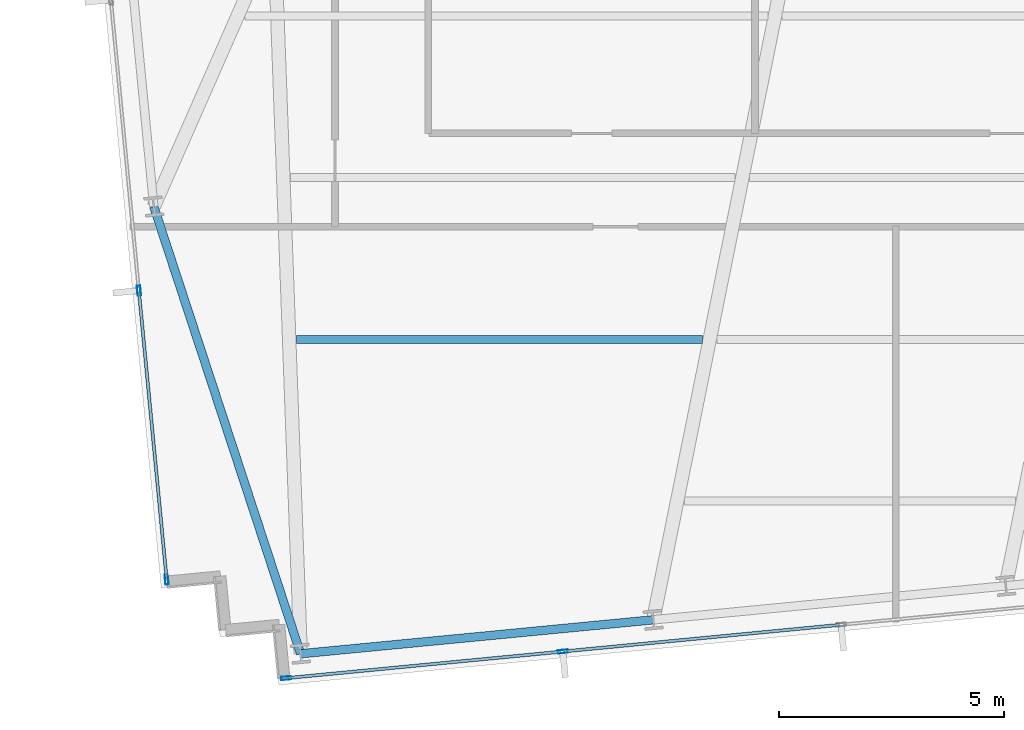
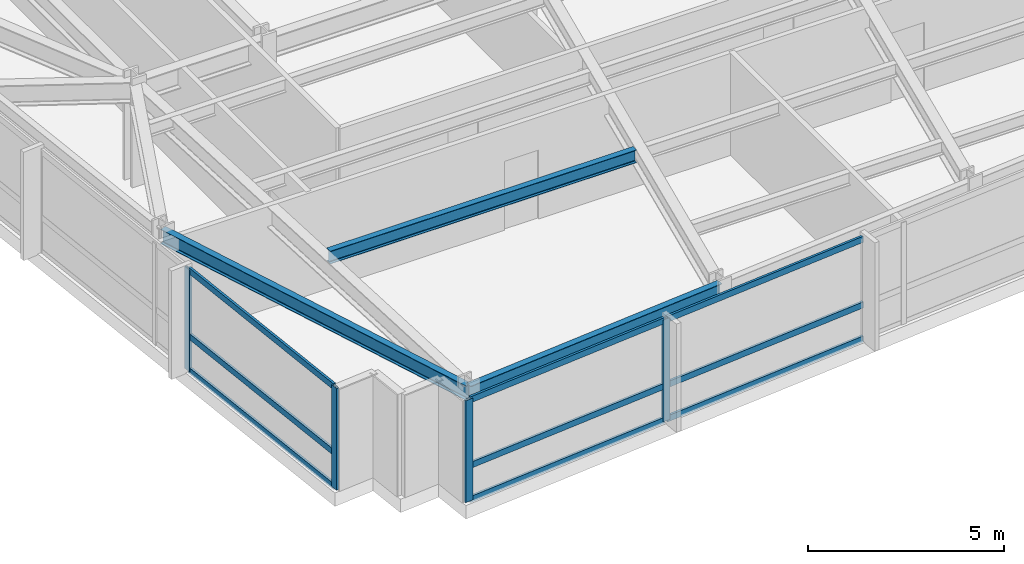
# One storey, part 2 of 33: 13 members, 3 beams, 2 elements without a shape of their own.
"""IFC4 building model written with IfcOpenShell, lengths in metres."""

import ifcopenshell
import ifcopenshell.guid

model = None  # the IFC model being written
_history = None  # IfcOwnerHistory: only IFC2X3 demands one
_inside = {}  # id of a spatial element -> (the spatial element, [elements in it])
_under = {}  # id of a project, library or spatial element -> (it, [spatial elements below it])
_declared = {}  # id of a project -> (the project, [libraries it declares])
_typed = {}  # id of a type object -> (the type object, [elements of that type])
_made_of = {}  # id of a material, layer set ... -> (it, [elements and type objects made of it])


def new_model(schema):
    """Start an empty IFC model of exactly this schema.

    Asked for "IFC4X3", IfcOpenShell would pick the latest addendum, in which some entities
    have other attributes; the version numbers below select the first issue.
    IFC2X3 requires an IfcOwnerHistory on every rooted entity: one is made here for all.
    """
    global model, _history
    if schema == "IFC4X3":
        model = ifcopenshell.file(schema_version=(4, 3, 0, 0))
    else:
        model = ifcopenshell.file(schema=schema)
    _inside.clear()
    _under.clear()
    _declared.clear()
    _typed.clear()
    _made_of.clear()
    _history = None
    if model.schema == "IFC2X3":
        org = make("IfcOrganization", Name="unknown")
        user = make(
            "IfcPersonAndOrganization",
            ThePerson=make("IfcPerson", FamilyName="unknown"),
            TheOrganization=org,
        )
        app = make(
            "IfcApplication",
            ApplicationDeveloper=org,
            Version="unknown",
            ApplicationFullName="unknown",
            ApplicationIdentifier="unknown",
        )
        _history = make(
            "IfcOwnerHistory",
            OwningUser=user,
            OwningApplication=app,
            ChangeAction="ADDED",
            CreationDate=0,
        )
    return model


def make(cls, **values):
    """One entity of the class cls with the attributes given. An attribute that is None is left unset."""
    return model.create_entity(
        cls, **{name: value for name, value in values.items() if value is not None}
    )


def rooted(cls, **values):
    """An entity with a GlobalId (a new one), such as an element, a storey or a relation."""
    return make(cls, GlobalId=ifcopenshell.guid.new(), OwnerHistory=_history, **values)


def si_unit(unit_type, name, prefix=None):
    """IfcSIUnit, for example si_unit("LENGTHUNIT", "METRE", prefix="MILLI")."""
    return make("IfcSIUnit", UnitType=unit_type, Prefix=prefix, Name=name)


def assignment(units):
    """IfcUnitAssignment: the units of a project."""
    return None if units is None else make("IfcUnitAssignment", Units=units)


def point(xyz):
    """IfcCartesianPoint."""
    return None if xyz is None else make("IfcCartesianPoint", Coordinates=xyz)


def direction(xyz):
    """IfcDirection."""
    return None if xyz is None else make("IfcDirection", DirectionRatios=xyz)


def frame(location, z_axis=None, x_axis=None):
    """IfcAxis2Placement3D, a coordinate frame: its origin and axes. An axis left out is left unset."""
    return make(
        "IfcAxis2Placement3D",
        Location=point(location),
        Axis=direction(z_axis),
        RefDirection=direction(x_axis),
    )


def frame_2d(location, x_axis=None):
    """IfcAxis2Placement2D, a coordinate frame in the plane: its origin and x axis."""
    return make(
        "IfcAxis2Placement2D", Location=point(location), RefDirection=direction(x_axis)
    )


def origin():
    """The frame at (0, 0, 0) with its axes left unset."""
    return frame((0.0, 0.0, 0.0))


def origin_2d():
    """The frame at (0, 0) in the plane with its x axis left unset."""
    return frame_2d((0.0, 0.0))


def place(relative_to, where):
    """IfcLocalPlacement: puts the frame where relative to a parent placement (None: the world)."""
    return make(
        "IfcLocalPlacement", PlacementRelTo=relative_to, RelativePlacement=where
    )


def context(
    kind, dimensions, precision=None, world=None, true_north=None, identifier=None
):
    """IfcGeometricRepresentationContext, for example the 3D "Model" context."""
    return make(
        "IfcGeometricRepresentationContext",
        ContextIdentifier=identifier,
        ContextType=kind,
        CoordinateSpaceDimension=dimensions,
        Precision=precision,
        WorldCoordinateSystem=world,
        TrueNorth=true_north,
    )


def subcontext(parent, identifier, kind, view, scale=None):
    """IfcGeometricRepresentationSubContext, for example "Body" below "Model"."""
    return make(
        "IfcGeometricRepresentationSubContext",
        ContextIdentifier=identifier,
        ContextType=kind,
        ParentContext=parent,
        TargetScale=scale,
        TargetView=view,
    )


def project(units=None, contexts=None):
    """IfcProject with its units and contexts."""
    return rooted(
        "IfcProject",
        Name="project",
        RepresentationContexts=contexts,
        UnitsInContext=assignment(units),
    )


def spatial(cls, under=None, at=None, **own):
    """A site, building, storey or space (cls), placed at a placement, below another one or the project."""
    s = rooted(cls, ObjectPlacement=at, **own)
    if under is not None:
        _under.setdefault(under.id(), (under, []))[1].append(s)
    return s


def profile(cls, at=None, kind="AREA", **sizes):
    """A parametric profile (cls). Its sizes go by their IFC names, for example OverallWidth=200.0."""
    return make(cls, ProfileType=kind, Position=at, **sizes)


def hollow_rectangle(**sizes):
    """IfcRectangleHollowProfileDef."""
    return profile("IfcRectangleHollowProfileDef", **sizes)


def i_section(**sizes):
    """IfcIShapeProfileDef."""
    return profile("IfcIShapeProfileDef", **sizes)


def extrude(swept, where, along, depth):
    """IfcExtrudedAreaSolid: the profile swept, set in the frame where, extruded along a direction by depth."""
    return make(
        "IfcExtrudedAreaSolid",
        SweptArea=swept,
        Position=where,
        ExtrudedDirection=direction(along),
        Depth=depth,
    )


def shape(context_of_items, identifier, shape_type, items):
    """IfcShapeRepresentation: the items that make up one representation, for example the "Body"."""
    return make(
        "IfcShapeRepresentation",
        ContextOfItems=context_of_items,
        RepresentationIdentifier=identifier,
        RepresentationType=shape_type,
        Items=items,
    )


def material(Name=None, Category=None):
    """IfcMaterial."""
    return make("IfcMaterial", Name=Name, Category=Category)


def material_profile(
    of_material, cross_section, Name=None, Category=None, Priority=None
):
    """IfcMaterialProfile: a cross section and its material."""
    return make(
        "IfcMaterialProfile",
        Name=Name,
        Material=of_material,
        Profile=cross_section,
        Priority=Priority,
        Category=Category,
    )


def profile_set(profiles, Name=None, composite=None):
    """IfcMaterialProfileSet."""
    return make(
        "IfcMaterialProfileSet",
        Name=Name,
        MaterialProfiles=profiles,
        CompositeProfile=composite,
    )


def made_of(thing, what):
    """Note that an element or type object is made of a material, layer set ...; save() writes the relation."""
    if what is not None:
        _made_of.setdefault(what.id(), (what, []))[1].append(thing)
    return thing


def type_object(cls, material=None, **own):
    """A type object (cls), such as IfcWallType, which elements share."""
    return made_of(rooted(cls, **own), material)


def element(
    cls,
    number,
    at=None,
    inside=None,
    cuts=None,
    type_object=None,
    material=None,
    context=None,
    identifier="Body",
    shape_type=None,
    held_by="IfcProductDefinitionShape",
    body=None,
    shapes=None,
    **own,
):
    """One element of the class cls, such as IfcWall. Its Tag is "e" and its number.

    at: its placement. inside: the storey or other place that contains it. cuts: it is an
    opening in that element (IfcRelVoidsElement). A single representation is given by context,
    identifier, shape_type and body (its items); several are given by shapes. held_by: the class
    of the entity that holds the representations. save() writes the other relations.
    """
    e = rooted(cls, Tag="e%d" % number, ObjectPlacement=at, **own)
    if body is not None:
        shapes = [shape(context, identifier, shape_type, body)]
    if shapes is not None:
        e.Representation = make(held_by, Representations=shapes)
    if inside is not None:
        _inside.setdefault(inside.id(), (inside, []))[1].append(e)
    if cuts is not None:
        rooted(
            "IfcRelVoidsElement", RelatingBuildingElement=cuts, RelatedOpeningElement=e
        )
    if type_object is not None:
        _typed.setdefault(type_object.id(), (type_object, []))[1].append(e)
    return made_of(e, material)


def aggregate(whole, parts):
    """IfcRelAggregates: a whole, such as a stair, and the parts it consists of."""
    return rooted("IfcRelAggregates", RelatingObject=whole, RelatedObjects=parts)


def save(model, path):
    """Write the relations noted so far, then the file.

    IfcRelAggregates (storeys below a building ...), IfcRelContainedInSpatialStructure (elements
    in a storey), IfcRelDefinesByType, IfcRelAssociatesMaterial and IfcRelDeclares: one each for
    every whole, place, type object, material and project.
    """
    for whole, parts in _under.values():
        aggregate(whole, parts)
    for where, things in _inside.values():
        rooted(
            "IfcRelContainedInSpatialStructure",
            RelatedElements=things,
            RelatingStructure=where,
        )
    for kind, things in _typed.values():
        rooted("IfcRelDefinesByType", RelatedObjects=things, RelatingType=kind)
    for what, things in _made_of.values():
        rooted("IfcRelAssociatesMaterial", RelatedObjects=things, RelatingMaterial=what)
    for by, libraries in _declared.values():
        rooted("IfcRelDeclares", RelatingContext=by, RelatedDefinitions=libraries)
    model.write(path)


model = new_model("IFC4")

# Units and contexts
model_context = context("Model", 3, precision=1e-05, world=origin(), true_north=direction((0.0, 1.0)))
body_context = subcontext(model_context, "Body", "Model", "MODEL_VIEW")
ifc_project = project(units=[si_unit("LENGTHUNIT", "METRE"), si_unit("AREAUNIT", "SQUARE_METRE"), si_unit("VOLUMEUNIT", "CUBIC_METRE"), si_unit("PLANEANGLEUNIT", "RADIAN"), si_unit("MASSUNIT", "GRAM", prefix="KILO")], contexts=[model_context])

# Site, building, storey
site_placement = place(None, origin())
site = spatial("IfcSite", under=ifc_project, at=site_placement, CompositionType="ELEMENT")
building_placement = place(site_placement, origin())
building = spatial("IfcBuilding", under=site, at=building_placement, Name="Yelkora Congress Tower", CompositionType="ELEMENT")
storey_placement = place(building_placement, frame((0.0, 0.0, 89.699951171875)))
storey = spatial("IfcBuildingStorey", under=building, at=storey_placement, Name="L23", CompositionType="ELEMENT", Elevation=89.699951171875)

# Beams
ifc_material_1 = material(Name="Steel S355J2", Category="steel")
ifc_material_profile_1 = material_profile(ifc_material_1, i_section(OverallWidth=0.179931640625, OverallDepth=0.39990234375, WebThickness=0.008544921875, FlangeThickness=0.013427734375, FilletRadius=0.02099609375, at=origin_2d()), Name="IPE 400")
ifc_profile_set_1 = profile_set([ifc_material_profile_1], Name="Steel S355J2")
beam_type_1 = type_object("IfcBeamType", Name="BM-JOIST-IPE400", PredefinedType="JOIST", material=ifc_profile_set_1)
beam_1_placement = place(storey_placement, frame((19.6904296875, 16.144287109375, 2.97998046875), z_axis=(1.0, 0.0, 0.0), x_axis=(0.0, 1.0, 0.0)))
element("IfcBeam", 1, at=beam_1_placement, inside=storey, type_object=beam_type_1, Name="L23 Composite Floor Joist 4", PredefinedType="JOIST", context=body_context, shape_type="SweptSolid", body=[
    extrude(i_section(OverallWidth=0.179931640625, OverallDepth=0.39990234375, WebThickness=0.008544921875, FlangeThickness=0.013427734375, FilletRadius=0.02099609375, at=origin_2d()), origin(), (0.0, 0.0, 1.0), 9.0439453125),
])
ifc_material_profile_2 = material_profile(ifc_material_1, i_section(OverallWidth=0.18994140625, OverallDepth=0.449951171875, WebThickness=0.009521484375, FlangeThickness=0.0146484375, FilletRadius=0.02099609375, at=origin_2d()), Name="IPE 450")
ifc_profile_set_2 = profile_set([ifc_material_profile_2], Name="Steel S355J2")
beam_type_2 = type_object("IfcBeamType", Name="BM-SPAN-IPE450", PredefinedType="SPANDREL", material=ifc_profile_set_2)
beam_2_placement = place(storey_placement, frame((16.5166015625, 19.101806640625, 2.955078125), z_axis=(0.311940628701, -0.95010159676, 0.0), x_axis=(0.95010159676, 0.311940628701, 0.0)))
element("IfcBeam", 2, at=beam_2_placement, inside=storey, type_object=beam_type_2, Name="L23 Perimeter Beam 2", PredefinedType="SPANDREL", context=body_context, shape_type="SweptSolid", body=[
    extrude(i_section(OverallWidth=0.18994140625, OverallDepth=0.449951171875, WebThickness=0.009521484375, FlangeThickness=0.0146484375, FilletRadius=0.02099609375, at=origin_2d()), origin(), (0.0, 0.0, 1.0), 10.48046875),
])
beam_3_placement = place(storey_placement, frame((19.785888671875, 9.144287109375, 2.955078125), z_axis=(0.995395860104, 0.095849265454, 0.0), x_axis=(-0.095849265454, 0.995395860104, 0.0)))
element("IfcBeam", 3, at=beam_3_placement, inside=storey, type_object=beam_type_2, Name="L23 Perimeter Beam 3", PredefinedType="SPANDREL", context=body_context, shape_type="SweptSolid", body=[
    extrude(i_section(OverallWidth=0.18994140625, OverallDepth=0.449951171875, WebThickness=0.009521484375, FlangeThickness=0.0146484375, FilletRadius=0.02099609375, at=origin_2d()), origin(), (0.0, 0.0, 1.0), 7.885986328125),
])

# Curtain wall, members
ifc_material_2 = material(Name="Anodised aluminium and insulated glass", Category="aluminium")
curtain_wall_type = type_object("IfcCurtainWallType", Name="CW-SYS-SKY", PredefinedType="NOTDEFINED", material=ifc_material_2)
curtain_wall_1_placement = place(storey_placement, origin())
curtain_wall_1 = element("IfcCurtainWall", 4, at=curtain_wall_1_placement, inside=storey, type_object=curtain_wall_type, Name="L23 Unitised Curtain Wall 5", PredefinedType="NOTDEFINED")
ifc_material_3 = material(Name="Anodised aluminium 6063-T6", Category="aluminium")
ifc_material_profile_3 = material_profile(ifc_material_3, hollow_rectangle(XDim=0.074951171875, YDim=0.219970703125, WallThickness=0.0048828125, at=origin_2d()), Name="ALU 75x220x5")
ifc_profile_set_3 = profile_set([ifc_material_profile_3], Name="Anodised aluminium 6063-T6")
member_type_1 = type_object("IfcMemberType", Name="MEM-ML-SKY", PredefinedType="MULLION", material=ifc_profile_set_3)
member_1_placement = place(storey_placement, frame((16.80419921875, 10.793701171875, 0.0), z_axis=(0.0, 0.0, 1.0), x_axis=(-0.995396507508, -0.095842541913, 0.0)))
member_1 = element("IfcMember", 5, at=member_1_placement, type_object=member_type_1, Name="CW-SKY mullion 1", PredefinedType="MULLION", context=body_context, shape_type="SweptSolid", body=[
    extrude(hollow_rectangle(XDim=0.074951171875, YDim=0.219970703125, WallThickness=0.0048828125, at=origin_2d()), origin(), (0.0, 0.0, 1.0), 3.179931640625),
])
member_2_placement = place(storey_placement, frame((16.184326171875, 17.23046875, 0.0), z_axis=(0.0, 0.0, 1.0), x_axis=(-0.995396507508, -0.095842541913, 0.0)))
member_2 = element("IfcMember", 6, at=member_2_placement, type_object=member_type_1, Name="CW-SKY mullion 2", PredefinedType="MULLION", context=body_context, shape_type="SweptSolid", body=[
    extrude(hollow_rectangle(XDim=0.074951171875, YDim=0.219970703125, WallThickness=0.0048828125, at=origin_2d()), origin(), (0.0, 0.0, 1.0), 3.179931640625),
])

curtain_wall_2_placement = place(storey_placement, origin())
curtain_wall_2 = element("IfcCurtainWall", 7, at=curtain_wall_2_placement, inside=storey, type_object=curtain_wall_type, Name="L23 Unitised Curtain Wall 20", PredefinedType="NOTDEFINED")
member_3_placement = place(storey_placement, frame((25.62255859375, 9.194091796875, 0.0), z_axis=(0.0, 0.0, 1.0), x_axis=(0.095844345816, -0.995396333816, 0.0)))
member_3 = element("IfcMember", 8, at=member_3_placement, type_object=member_type_1, Name="CW-SKY mullion 9", PredefinedType="MULLION", context=body_context, shape_type="SweptSolid", body=[
    extrude(hollow_rectangle(XDim=0.074951171875, YDim=0.219970703125, WallThickness=0.0048828125, at=origin_2d()), origin(), (0.0, 0.0, 1.0), 3.179931640625),
])
member_4_placement = place(storey_placement, frame((19.464111328125, 8.60107421875, 0.0), z_axis=(0.0, 0.0, 1.0), x_axis=(0.095844345816, -0.995396333816, 0.0)))
member_4 = element("IfcMember", 9, at=member_4_placement, type_object=member_type_1, Name="CW-SKY mullion 10", PredefinedType="MULLION", context=body_context, shape_type="SweptSolid", body=[
    extrude(hollow_rectangle(XDim=0.074951171875, YDim=0.219970703125, WallThickness=0.0048828125, at=origin_2d()), origin(), (0.0, 0.0, 1.0), 3.179931640625),
])

# Member
ifc_material_profile_4 = material_profile(ifc_material_3, hollow_rectangle(XDim=0.070068359375, YDim=0.18994140625, WallThickness=0.00390625, at=origin_2d()), Name="ALU 70x190x4")
ifc_profile_set_4 = profile_set([ifc_material_profile_4], Name="Anodised aluminium 6063-T6")
member_type_2 = type_object("IfcMemberType", Name="MEM-TR-SKY", PredefinedType="USERDEFINED", material=ifc_profile_set_4)
member_5_placement = place(storey_placement, frame((16.800537109375, 10.8310546875, 0.03515625), z_axis=(-0.095838322904, 0.99539691373, 0.0), x_axis=(-0.99539691373, -0.095838322904, 0.0)))
member_5 = element("IfcMember", 10, at=member_5_placement, type_object=member_type_2, Name="CW-SKY transom 1.1", ObjectType="TRANSOM", PredefinedType="USERDEFINED", context=body_context, shape_type="SweptSolid", body=[
    extrude(hollow_rectangle(XDim=0.070068359375, YDim=0.18994140625, WallThickness=0.00390625, at=origin_2d()), origin(), (0.0, 0.0, 1.0), 6.3916015625),
])

member_6_placement = place(storey_placement, frame((16.800537109375, 10.8310546875, 1.10009765625), z_axis=(-0.095838322904, 0.99539691373, 0.0), x_axis=(-0.99539691373, -0.095838322904, 0.0)))
member_6 = element("IfcMember", 11, at=member_6_placement, type_object=member_type_2, Name="CW-SKY transom 1.2", ObjectType="TRANSOM", PredefinedType="USERDEFINED", context=body_context, shape_type="SweptSolid", body=[
    extrude(hollow_rectangle(XDim=0.070068359375, YDim=0.18994140625, WallThickness=0.00390625, at=origin_2d()), origin(), (0.0, 0.0, 1.0), 6.3916015625),
])

member_7_placement = place(storey_placement, frame((16.800537109375, 10.8310546875, 3.14501953125), z_axis=(-0.095838322904, 0.99539691373, 0.0), x_axis=(-0.99539691373, -0.095838322904, 0.0)))
member_7 = element("IfcMember", 12, at=member_7_placement, type_object=member_type_2, Name="CW-SKY transom 1.3", ObjectType="TRANSOM", PredefinedType="USERDEFINED", context=body_context, shape_type="SweptSolid", body=[
    extrude(hollow_rectangle(XDim=0.070068359375, YDim=0.18994140625, WallThickness=0.00390625, at=origin_2d()), origin(), (0.0, 0.0, 1.0), 6.3916015625),
])

aggregate(curtain_wall_1, [member_1, member_2, member_5, member_6, member_7])

member_8_placement = place(storey_placement, frame((31.781005859375, 9.787109375, 0.03515625), z_axis=(-0.995396800655, -0.095839497319, 0.0), x_axis=(0.095839497319, -0.995396800655, 0.0)))
member_8 = element("IfcMember", 13, at=member_8_placement, type_object=member_type_2, Name="CW-SKY transom 8.1", ObjectType="TRANSOM", PredefinedType="USERDEFINED", context=body_context, shape_type="SweptSolid", body=[
    extrude(hollow_rectangle(XDim=0.070068359375, YDim=0.18994140625, WallThickness=0.00390625, at=origin_2d()), origin(), (0.0, 0.0, 1.0), 6.1494140625),
])

member_9_placement = place(storey_placement, frame((31.781005859375, 9.787109375, 1.10009765625), z_axis=(-0.995396800655, -0.095839497319, 0.0), x_axis=(0.095839497319, -0.995396800655, 0.0)))
member_9 = element("IfcMember", 14, at=member_9_placement, type_object=member_type_2, Name="CW-SKY transom 8.2", ObjectType="TRANSOM", PredefinedType="USERDEFINED", context=body_context, shape_type="SweptSolid", body=[
    extrude(hollow_rectangle(XDim=0.070068359375, YDim=0.18994140625, WallThickness=0.00390625, at=origin_2d()), origin(), (0.0, 0.0, 1.0), 6.1494140625),
])

member_10_placement = place(storey_placement, frame((31.781005859375, 9.787109375, 3.14501953125), z_axis=(-0.995396800655, -0.095839497319, 0.0), x_axis=(0.095839497319, -0.995396800655, 0.0)))
member_10 = element("IfcMember", 15, at=member_10_placement, type_object=member_type_2, Name="CW-SKY transom 8.3", ObjectType="TRANSOM", PredefinedType="USERDEFINED", context=body_context, shape_type="SweptSolid", body=[
    extrude(hollow_rectangle(XDim=0.070068359375, YDim=0.18994140625, WallThickness=0.00390625, at=origin_2d()), origin(), (0.0, 0.0, 1.0), 6.1494140625),
])

member_11_placement = place(storey_placement, frame((25.585205078125, 9.1904296875, 0.03515625), z_axis=(-0.995397824713, -0.095828860768, 0.0), x_axis=(0.095828860768, -0.995397824713, 0.0)))
member_11 = element("IfcMember", 16, at=member_11_placement, type_object=member_type_2, Name="CW-SKY transom 9.1", ObjectType="TRANSOM", PredefinedType="USERDEFINED", context=body_context, shape_type="SweptSolid", body=[
    extrude(hollow_rectangle(XDim=0.070068359375, YDim=0.18994140625, WallThickness=0.00390625, at=origin_2d()), origin(), (0.0, 0.0, 1.0), 6.11181640625),
])

member_12_placement = place(storey_placement, frame((25.585205078125, 9.1904296875, 1.10009765625), z_axis=(-0.995397824713, -0.095828860768, 0.0), x_axis=(0.095828860768, -0.995397824713, 0.0)))
member_12 = element("IfcMember", 17, at=member_12_placement, type_object=member_type_2, Name="CW-SKY transom 9.2", ObjectType="TRANSOM", PredefinedType="USERDEFINED", context=body_context, shape_type="SweptSolid", body=[
    extrude(hollow_rectangle(XDim=0.070068359375, YDim=0.18994140625, WallThickness=0.00390625, at=origin_2d()), origin(), (0.0, 0.0, 1.0), 6.11181640625),
])

member_13_placement = place(storey_placement, frame((25.585205078125, 9.1904296875, 3.14501953125), z_axis=(-0.995397824713, -0.095828860768, 0.0), x_axis=(0.095828860768, -0.995397824713, 0.0)))
member_13 = element("IfcMember", 18, at=member_13_placement, type_object=member_type_2, Name="CW-SKY transom 9.3", ObjectType="TRANSOM", PredefinedType="USERDEFINED", context=body_context, shape_type="SweptSolid", body=[
    extrude(hollow_rectangle(XDim=0.070068359375, YDim=0.18994140625, WallThickness=0.00390625, at=origin_2d()), origin(), (0.0, 0.0, 1.0), 6.11181640625),
])

aggregate(curtain_wall_2, [member_3, member_4, member_8, member_9, member_10, member_11, member_12, member_13])

save(model, "model.ifc")
